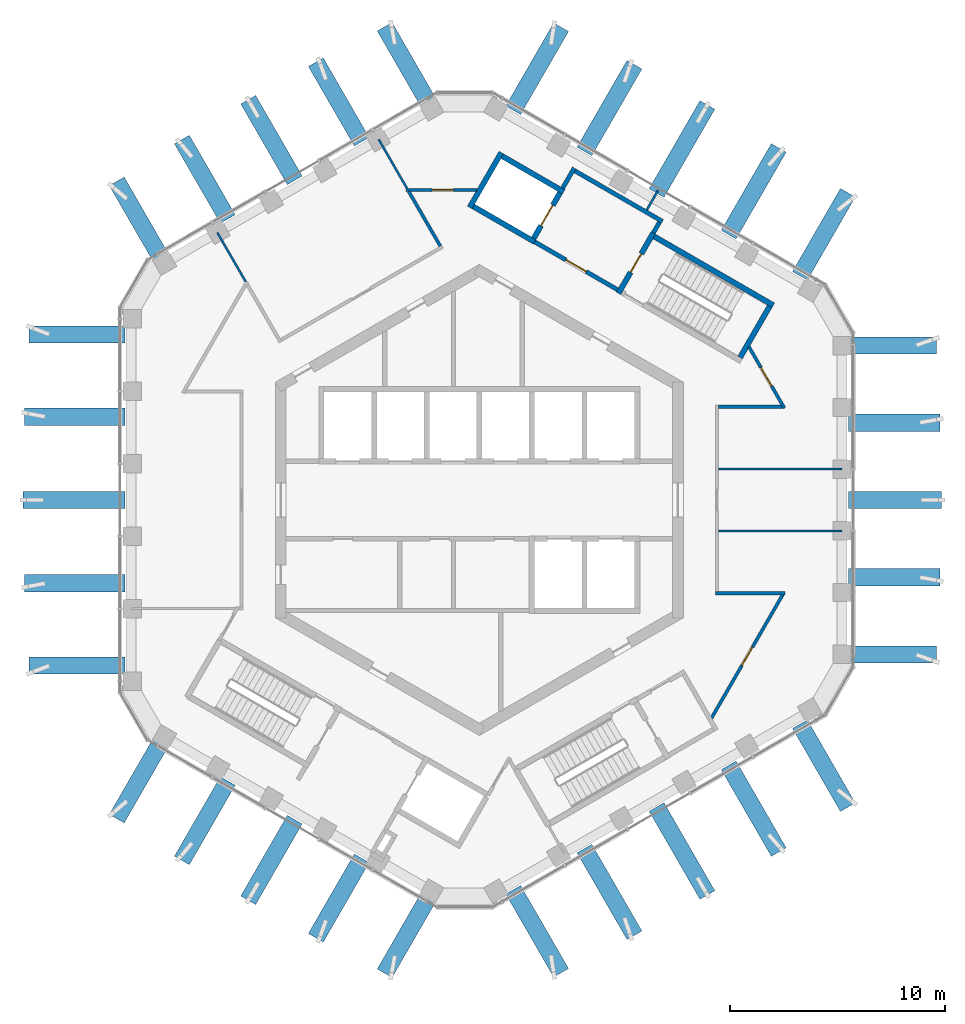
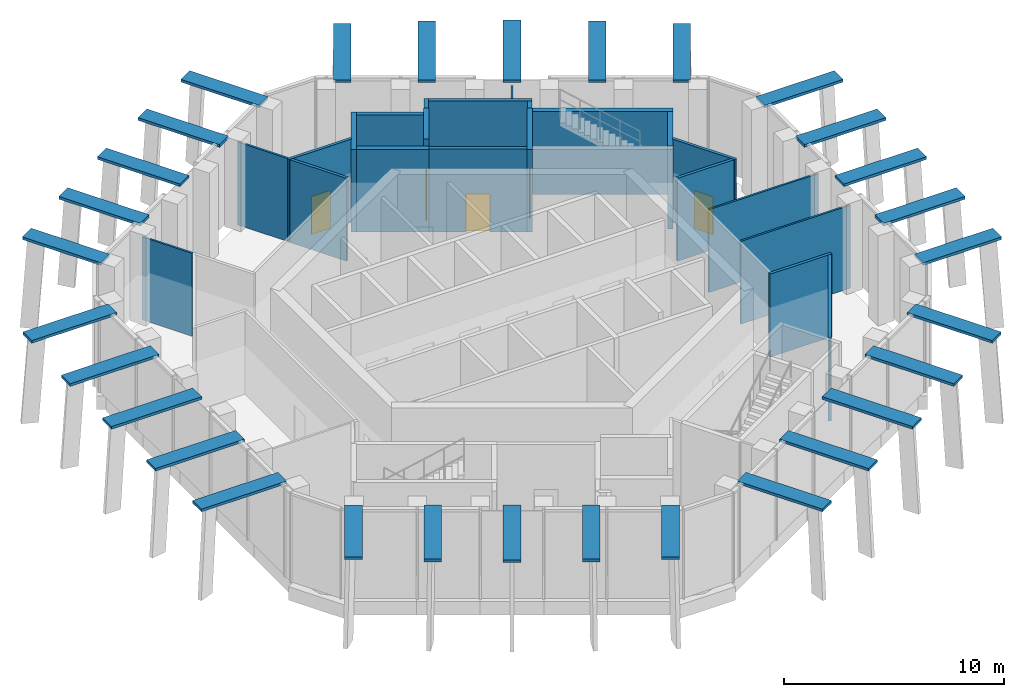
# One storey, part 13 of 17: 30 discrete accessories, 22 walls, 6 doors, 6 openings.
"""IFC4 building model written with IfcOpenShell, lengths in metres."""

from ifc_helpers import new_model, si_unit, direction, frame, frame_2d, origin, origin_2d, place, context, subcontext, project, spatial, rectangle, extrude, material, layer, layer_set, type_object, element, fill, save


model = new_model("IFC4")

# Units and contexts
model_context = context("Model", 3, precision=1e-05, world=origin(), true_north=direction((0.0, 1.0)))
body_context = subcontext(model_context, "Body", "Model", "MODEL_VIEW")
ifc_project = project(units=[si_unit("LENGTHUNIT", "METRE"), si_unit("AREAUNIT", "SQUARE_METRE"), si_unit("VOLUMEUNIT", "CUBIC_METRE"), si_unit("PLANEANGLEUNIT", "RADIAN"), si_unit("MASSUNIT", "GRAM", prefix="KILO")], contexts=[model_context])

# Site, building, storey
site_placement = place(None, origin())
site = spatial("IfcSite", under=ifc_project, at=site_placement, CompositionType="ELEMENT")
building_placement = place(site_placement, origin())
building = spatial("IfcBuilding", under=site, at=building_placement, Name="Ayvan Gate Tower", CompositionType="ELEMENT")
storey_placement = place(building_placement, frame((0.0, 0.0, 257.89990234375)))
storey = spatial("IfcBuildingStorey", under=building, at=storey_placement, Name="L69", CompositionType="ELEMENT", Elevation=257.89990234375)

# Wall, opening, door
ifc_material_1 = material(Name="Plasterboard on steel stud", Category="steel")
ifc_layer_1 = layer(ifc_material_1, 0.14990234375)
ifc_layer_set_1 = layer_set([ifc_layer_1], Name="Plasterboard on steel stud")
wall_type_1 = type_object("IfcWallType", Name="WT-CORR-150", PredefinedType="PARTITIONING", material=ifc_layer_set_1)
wall_1_placement = place(storey_placement, frame((-3.4033203125, 14.44287109375, 0.0), z_axis=(0.0, 0.0, 1.0), x_axis=(1.0, 0.0, 0.0)))
wall_1 = element("IfcWall", 1, at=wall_1_placement, inside=storey, type_object=wall_type_1, Name="IW-L69-031", PredefinedType="PARTITIONING", context=body_context, shape_type="SweptSolid", body=[
    extrude(rectangle(XDim=3.30322265625, YDim=0.14990234375, at=frame_2d((1.651611328125, 0.0))), origin(), (0.0, 0.0, 1.0), 4.60009765625),
])
opening_1_placement = place(wall_1_placement, frame((1.206298828125, 0.0, 0.0)))
opening_1 = element("IfcOpeningElement", 2, at=opening_1_placement, cuts=wall_1, Name="Opening L69-D28", PredefinedType="OPENING", context=body_context, shape_type="SweptSolid", body=[
    extrude(rectangle(XDim=1.0, YDim=2.10009765625, at=frame_2d((0.5, 1.050048828125))), frame((0.0, 0.0849609375, 0.0), z_axis=(0.0, -1.0, 0.0), x_axis=(1.0, 0.0, 0.0)), (0.0, 0.0, 1.0), 0.169921875),
])
ifc_material_2 = material(Name="Timber door leaf", Category="wood")
door_type_1 = type_object("IfcDoorType", Name="DT-1000", OperationType="NOTDEFINED", PredefinedType="DOOR", material=ifc_material_2)
door_1_placement = place(opening_1_placement, origin())
door_1 = element("IfcDoor", 3, at=door_1_placement, inside=storey, type_object=door_type_1, Name="ID-L69-028", OperationType="SINGLE_SWING_LEFT", OverallHeight=2.10009765625, OverallWidth=1.0, PredefinedType="DOOR", context=body_context, shape_type="SweptSolid", body=[
    extrude(rectangle(XDim=1.0, YDim=2.10009765625, at=frame_2d((0.5, 1.050048828125))), frame((0.0, 0.02490234375, 0.0), z_axis=(0.0, -1.0, 0.0), x_axis=(1.0, 0.0, 0.0)), (0.0, 0.0, 1.0), 0.050048828125),
])
fill(opening_1, door_1)

# Walls
wall_2_placement = place(storey_placement, frame((-1.814697265625, 11.8212890625, 0.0), z_axis=(0.0, 0.0, 1.0), x_axis=(-0.499999254532, 0.86602583418, 0.0)))
element("IfcWall", 4, at=wall_2_placement, inside=storey, type_object=wall_type_1, Name="IW-L69-035", PredefinedType="PARTITIONING", context=body_context, shape_type="SweptSolid", body=[
    extrude(rectangle(XDim=2.9521484375, YDim=0.14990234375, at=frame_2d((1.47607421875, 0.0))), origin(), (0.0, 0.0, 1.0), 4.60009765625),
])
wall_3_placement = place(storey_placement, frame((10.9951171875, -4.339111328125, 0.0), z_axis=(0.0, 0.0, 1.0), x_axis=(1.0, 0.0, 0.0)))
element("IfcWall", 5, at=wall_3_placement, inside=storey, type_object=wall_type_1, Name="IW-L69-075", PredefinedType="PARTITIONING", context=body_context, shape_type="SweptSolid", body=[
    extrude(rectangle(XDim=3.251953125, YDim=0.14990234375, at=frame_2d((1.6259765625, 0.0))), origin(), (0.0, 0.0, 1.0), 4.60009765625),
])

# Wall, opening, door
wall_4_placement = place(storey_placement, frame((12.55810546875, 7.134521484375, 0.0), z_axis=(0.0, 0.0, 1.0), x_axis=(0.499986929959, -0.866032949645, 0.0)))
wall_4 = element("IfcWall", 6, at=wall_4_placement, inside=storey, type_object=wall_type_1, Name="IW-L69-079", PredefinedType="PARTITIONING", context=body_context, shape_type="SweptSolid", body=[
    extrude(rectangle(XDim=3.302734375, YDim=0.14990234375, at=frame_2d((1.6513671875, 0.0))), origin(), (0.0, 0.0, 1.0), 4.60009765625),
])
opening_2_placement = place(wall_4_placement, frame((1.114013671875, 0.0, 0.0)))
opening_2 = element("IfcOpeningElement", 7, at=opening_2_placement, cuts=wall_4, Name="Opening L69-D24", PredefinedType="OPENING", context=body_context, shape_type="SweptSolid", body=[
    extrude(rectangle(XDim=1.0, YDim=2.10009765625, at=frame_2d((0.5, 1.050048828125))), frame((0.0, 0.0849609375, 0.0), z_axis=(0.0, -1.0, 0.0), x_axis=(1.0, 0.0, 0.0)), (0.0, 0.0, 1.0), 0.169921875),
])
door_2_placement = place(opening_2_placement, origin())
door_2 = element("IfcDoor", 8, at=door_2_placement, inside=storey, type_object=door_type_1, Name="ID-L69-024", OperationType="SINGLE_SWING_LEFT", OverallHeight=2.10009765625, OverallWidth=1.0, PredefinedType="DOOR", context=body_context, shape_type="SweptSolid", body=[
    extrude(rectangle(XDim=1.0, YDim=2.10009765625, at=frame_2d((0.5, 1.050048828125))), frame((0.0, 0.02490234375, 0.0), z_axis=(0.0, -1.0, 0.0), x_axis=(1.0, 0.0, 0.0)), (0.0, 0.0, 1.0), 0.050048828125),
])
fill(opening_2, door_2)

wall_5_placement = place(storey_placement, frame((14.134521484375, -4.404052734375, 0.0), z_axis=(0.0, 0.0, 1.0), x_axis=(-0.500001386856, -0.866024603081, 0.0)))
wall_5 = element("IfcWall", 9, at=wall_5_placement, inside=storey, type_object=wall_type_1, Name="IW-L69-081", PredefinedType="PARTITIONING", context=body_context, shape_type="SweptSolid", body=[
    extrude(rectangle(XDim=6.64208984375, YDim=0.14990234375, at=frame_2d((3.321044921875, 0.0))), origin(), (0.0, 0.0, 1.0), 4.60009765625),
])
opening_3_placement = place(wall_5_placement, frame((2.821044921875, 0.0, 0.0)))
opening_3 = element("IfcOpeningElement", 10, at=opening_3_placement, cuts=wall_5, Name="Opening L69-D25", PredefinedType="OPENING", context=body_context, shape_type="SweptSolid", body=[
    extrude(rectangle(XDim=1.0, YDim=2.10009765625, at=frame_2d((0.5, 1.050048828125))), frame((0.0, 0.0849609375, 0.0), z_axis=(0.0, -1.0, 0.0), x_axis=(1.0, 0.0, 0.0)), (0.0, 0.0, 1.0), 0.169921875),
])
door_3_placement = place(opening_3_placement, origin())
door_3 = element("IfcDoor", 11, at=door_3_placement, inside=storey, type_object=door_type_1, Name="ID-L69-025", OperationType="SINGLE_SWING_RIGHT", OverallHeight=2.10009765625, OverallWidth=1.0, PredefinedType="DOOR", context=body_context, shape_type="SweptSolid", body=[
    extrude(rectangle(XDim=1.0, YDim=2.10009765625, at=frame_2d((0.5, 1.050048828125))), frame((0.0, 0.02490234375, 0.0), z_axis=(0.0, -1.0, 0.0), x_axis=(1.0, 0.0, 0.0)), (0.0, 0.0, 1.0), 0.050048828125),
])
fill(opening_3, door_3)

# Walls
wall_6_placement = place(storey_placement, frame((14.096923828125, 4.339111328125, 0.0), z_axis=(0.0, 0.0, 1.0), x_axis=(-1.0, 0.0, 0.0)))
element("IfcWall", 12, at=wall_6_placement, inside=storey, type_object=wall_type_1, Name="IW-L69-082", PredefinedType="PARTITIONING", context=body_context, shape_type="SweptSolid", body=[
    extrude(rectangle(XDim=2.951904296875, YDim=0.14990234375, at=frame_2d((1.47607421875, 0.0))), origin(), (0.0, 0.0, 1.0), 4.60009765625),
])
ifc_layer_2 = layer(ifc_material_1, 0.10009765625)
ifc_layer_set_2 = layer_set([ifc_layer_2], Name="Plasterboard on steel stud")
wall_type_2 = type_object("IfcWallType", Name="WT-PART-100", PredefinedType="PARTITIONING", material=ifc_layer_set_2)
wall_7_placement = place(storey_placement, frame((-12.201416015625, 12.455322265625, 0.0), z_axis=(0.0, 0.0, 1.0), x_axis=(0.499967916833, -0.866043926217, 0.0)))
element("IfcWall", 13, at=wall_7_placement, inside=storey, type_object=wall_type_2, Name="IW-L69-002", PredefinedType="PARTITIONING", context=body_context, shape_type="SweptSolid", body=[
    extrude(rectangle(XDim=2.640380859375, YDim=0.10009765625, at=frame_2d((1.3203125, 0.0))), origin(), (0.0, 0.0, 1.0), 4.60009765625),
])
wall_8_placement = place(storey_placement, frame((-4.685791015625, 16.794677734375, 0.0), z_axis=(0.0, 0.0, 1.0), x_axis=(0.49999722832, -0.866027004008, 0.0)))
element("IfcWall", 14, at=wall_8_placement, inside=storey, type_object=wall_type_2, Name="IW-L69-023", PredefinedType="PARTITIONING", context=body_context, shape_type="SweptSolid", body=[
    extrude(rectangle(XDim=2.640625, YDim=0.10009765625, at=frame_2d((1.3203125, 0.0))), origin(), (0.0, 0.0, 1.0), 4.60009765625),
])
wall_9_placement = place(storey_placement, frame((7.800048828125, 13.510009765625, 0.0), z_axis=(0.0, 0.0, 1.0), x_axis=(0.499996600708, 0.866027366358, 0.0)))
element("IfcWall", 15, at=wall_9_placement, inside=storey, type_object=wall_type_2, Name="IW-L69-068", PredefinedType="PARTITIONING", context=body_context, shape_type="SweptSolid", body=[
    extrude(rectangle(XDim=1.02783203125, YDim=0.10009765625, at=frame_2d((0.513916015625, 0.0))), origin(), (0.0, 0.0, 1.0), 4.60009765625),
])
for number, where, z_axis, x_axis, name in (
    (16, (11.14501953125, 1.4462890625, 0.0), (0.0, 0.0, 1.0), (1.0, 0.0, 0.0), "IW-L69-077"),
    (17, (16.887451171875, -1.4462890625, 0.0), (0.0, 0.0, 1.0), (-1.0, 0.0, 0.0), "IW-L69-083"),
):
    element("IfcWall", number, at=place(storey_placement, frame(where, z_axis=z_axis, x_axis=x_axis)), inside=storey, type_object=wall_type_2, Name=name, PredefinedType="PARTITIONING", context=body_context, shape_type="SweptSolid", body=[
        extrude(rectangle(XDim=5.742431640625, YDim=0.10009765625, at=frame_2d((2.87109375, 0.0))), origin(), (0.0, 0.0, 1.0), 4.60009765625),
    ])
ifc_layer_3 = layer(ifc_material_1, 0.199951171875)
ifc_layer_set_3 = layer_set([ifc_layer_3], Name="Plasterboard on steel stud")
wall_type_3 = type_object("IfcWallType", Name="WT-RATED-200", PredefinedType="PARTITIONING", material=ifc_layer_set_3)
wall_10_placement = place(storey_placement, frame((3.885009765625, 14.52880859375, 0.0), z_axis=(0.0, 0.0, 1.0), x_axis=(0.499997628298, 0.866026773083, 0.0)))
element("IfcWall", 18, at=wall_10_placement, inside=storey, type_object=wall_type_3, Name="IW-L69-054", PredefinedType="PARTITIONING", context=body_context, shape_type="SweptSolid", body=[
    extrude(rectangle(XDim=1.0751953125, YDim=0.199951171875, at=frame_2d((0.53759765625, 0.0))), origin(), (0.0, 0.0, 1.0), 4.60009765625),
])
wall_11_placement = place(storey_placement, frame((4.458984375, 15.323486328125, 0.0), z_axis=(0.0, 0.0, 1.0), x_axis=(0.866016039709, -0.500016218704, 0.0)))
element("IfcWall", 19, at=wall_11_placement, inside=storey, type_object=wall_type_3, Name="IW-L69-056", PredefinedType="PARTITIONING", context=body_context, shape_type="SweptSolid", body=[
    extrude(rectangle(XDim=4.699951171875, YDim=0.199951171875, at=frame_2d((2.35009765625, 0.0))), origin(), (0.0, 0.0, 1.0), 4.60009765625),
])

# Wall, opening, door
wall_12_placement = place(storey_placement, frame((6.4345703125, 9.794921875, 0.0), z_axis=(0.0, 0.0, 1.0), x_axis=(-0.866012907634, 0.500021643343, 0.0)))
wall_12 = element("IfcWall", 20, at=wall_12_placement, inside=storey, type_object=wall_type_3, Name="IW-L69-061", PredefinedType="PARTITIONING", context=body_context, shape_type="SweptSolid", body=[
    extrude(rectangle(XDim=4.449951171875, YDim=0.199951171875, at=frame_2d((2.22509765625, 0.0))), origin(), (0.0, 0.0, 1.0), 4.60009765625),
])
opening_4_placement = place(wall_12_placement, frame((1.675048828125, 0.0, 0.0)))
opening_4 = element("IfcOpeningElement", 21, at=opening_4_placement, cuts=wall_12, Name="Opening L69-D14", PredefinedType="OPENING", context=body_context, shape_type="SweptSolid", body=[
    extrude(rectangle(XDim=1.10009765625, YDim=2.10009765625, at=frame_2d((0.550048828125, 1.050048828125))), frame((0.0, 0.10986328125, 0.0), z_axis=(0.0, -1.0, 0.0), x_axis=(1.0, 0.0, 0.0)), (0.0, 0.0, 1.0), 0.219970703125),
])
door_type_2 = type_object("IfcDoorType", Name="DT-1100", OperationType="NOTDEFINED", PredefinedType="DOOR", material=ifc_material_2)
door_4_placement = place(opening_4_placement, origin())
door_4 = element("IfcDoor", 22, at=door_4_placement, inside=storey, type_object=door_type_2, Name="ID-L69-014", OperationType="SINGLE_SWING_LEFT", OverallHeight=2.10009765625, OverallWidth=1.10009765625, PredefinedType="DOOR", context=body_context, shape_type="SweptSolid", body=[
    extrude(rectangle(XDim=1.10009765625, YDim=2.10009765625, at=frame_2d((0.550048828125, 1.050048828125))), frame((0.0, 0.02490234375, 0.0), z_axis=(0.0, -1.0, 0.0), x_axis=(1.0, 0.0, 0.0)), (0.0, 0.0, 1.0), 0.050048828125),
])
fill(opening_4, door_4)

# Walls
wall_13_placement = place(storey_placement, frame((8.392822265625, 12.936767578125, 0.0), z_axis=(0.0, 0.0, 1.0), x_axis=(-0.500065409566, -0.86598763626, 0.0)))
element("IfcWall", 23, at=wall_13_placement, inside=storey, type_object=wall_type_3, Name="IW-L69-070", PredefinedType="PARTITIONING", context=body_context, shape_type="SweptSolid", body=[
    extrude(rectangle(XDim=0.5751953125, YDim=0.199951171875, at=frame_2d((0.28759765625, 0.0))), origin(), (0.0, 0.0, 1.0), 4.60009765625),
])
ifc_material_3 = material(Name="Concrete C50/60", Category="concrete")
ifc_layer_4 = layer(ifc_material_3, 0.25)
ifc_layer_set_4 = layer_set([ifc_layer_4], Name="Concrete C50/60")
wall_type_4 = type_object("IfcWallType", Name="WT-RC-250", PredefinedType="SHEAR", material=ifc_layer_set_4)
wall_14_placement = place(storey_placement, frame((-0.447998046875, 13.624267578125, 0.0), z_axis=(0.0, 0.0, 1.0), x_axis=(0.500037662692, 0.866003658127, 0.0)))
element("IfcWall", 24, at=wall_14_placement, inside=storey, type_object=wall_type_4, Name="IW-L69-039", PredefinedType="SHEAR", context=body_context, shape_type="SweptSolid", body=[
    extrude(rectangle(XDim=2.949951171875, YDim=0.25, at=frame_2d((1.47509765625, 0.0))), origin(), (0.0, 0.0, 1.0), 4.60009765625),
])
for number, where, z_axis, x_axis, name in (
    (25, (1.072998046875, 16.00830078125, 0.0), (0.0, 0.0, 1.0), (0.866040211805, -0.499974350878, 0.0), "IW-L69-042"),
    (26, (2.580810546875, 12.02001953125, 0.0), (0.0, 0.0, 1.0), (-0.866040211805, 0.499974350878, 0.0), "IW-L69-051"),
):
    element("IfcWall", number, at=place(storey_placement, frame(where, z_axis=z_axis, x_axis=x_axis)), inside=storey, type_object=wall_type_4, Name=name, PredefinedType="SHEAR", context=body_context, shape_type="SweptSolid", body=[
        extrude(rectangle(XDim=3.300048828125, YDim=0.25, at=frame_2d((1.64990234375, 0.0))), origin(), (0.0, 0.0, 1.0), 4.60009765625),
    ])

# Wall, opening, door
wall_15_placement = place(storey_placement, frame((2.534912109375, 12.19091796875, 0.0), z_axis=(0.0, 0.0, 1.0), x_axis=(0.500061746146, 0.865989751695, 0.0)))
wall_15 = element("IfcWall", 27, at=wall_15_placement, inside=storey, type_object=wall_type_4, Name="IW-L69-052", PredefinedType="SHEAR", context=body_context, shape_type="SweptSolid", body=[
    extrude(rectangle(XDim=2.449951171875, YDim=0.25, at=frame_2d((1.22509765625, 0.0))), origin(), (0.0, 0.0, 1.0), 5.0),
])
opening_5_placement = place(wall_15_placement, frame((0.675048828125, 0.0, 0.0)))
opening_5 = element("IfcOpeningElement", 28, at=opening_5_placement, cuts=wall_15, Name="Opening L69-LD-FF1", PredefinedType="OPENING", context=body_context, shape_type="SweptSolid", body=[
    extrude(rectangle(XDim=1.10009765625, YDim=2.10009765625, at=frame_2d((0.550048828125, 1.050048828125))), frame((0.0, 0.135009765625, 0.0), z_axis=(0.0, -1.0, 0.0), x_axis=(1.0, 0.0, 0.0)), (0.0, 0.0, 1.0), 0.27001953125),
])
ifc_material_4 = material(Name="Stainless steel landing door", Category="steel")
door_type_3 = type_object("IfcDoorType", Name="DT-LANDING-1100", OperationType="SLIDING_TO_LEFT", PredefinedType="DOOR", material=ifc_material_4)
door_5_placement = place(opening_5_placement, origin())
door_5 = element("IfcDoor", 29, at=door_5_placement, inside=storey, type_object=door_type_3, Name="ID-L69-015", OperationType="SLIDING_TO_LEFT", OverallHeight=2.10009765625, OverallWidth=1.10009765625, PredefinedType="DOOR", context=body_context, shape_type="SweptSolid", body=[
    extrude(rectangle(XDim=1.10009765625, YDim=2.10009765625, at=frame_2d((0.550048828125, 1.050048828125))), frame((0.0, 0.02490234375, 0.0), z_axis=(0.0, -1.0, 0.0), x_axis=(1.0, 0.0, 0.0)), (0.0, 0.0, 1.0), 0.050048828125),
])
fill(opening_5, door_5)

wall_16_placement = place(storey_placement, frame((6.480224609375, 9.624267578125, 0.0), z_axis=(0.0, 0.0, 1.0), x_axis=(0.500017246033, 0.866015446554, 0.0)))
wall_16 = element("IfcWall", 30, at=wall_16_placement, inside=storey, type_object=wall_type_4, Name="IW-L69-062", PredefinedType="SHEAR", context=body_context, shape_type="SweptSolid", body=[
    extrude(rectangle(XDim=3.25, YDim=0.25, at=frame_2d((1.625, 0.0))), origin(), (0.0, 0.0, 1.0), 4.60009765625),
])
opening_6_placement = place(wall_16_placement, frame((1.125, 0.0, 0.0)))
opening_6 = element("IfcOpeningElement", 31, at=opening_6_placement, cuts=wall_16, Name="Opening L69-D13", PredefinedType="OPENING", context=body_context, shape_type="SweptSolid", body=[
    extrude(rectangle(XDim=1.0, YDim=2.10009765625, at=frame_2d((0.5, 1.050048828125))), frame((0.0, 0.135009765625, 0.0), z_axis=(0.0, -1.0, 0.0), x_axis=(1.0, 0.0, 0.0)), (0.0, 0.0, 1.0), 0.27001953125),
])
door_6_placement = place(opening_6_placement, origin())
door_6 = element("IfcDoor", 32, at=door_6_placement, inside=storey, type_object=door_type_1, Name="ID-L69-013", OperationType="SINGLE_SWING_RIGHT", OverallHeight=2.10009765625, OverallWidth=1.0, PredefinedType="DOOR", context=body_context, shape_type="SweptSolid", body=[
    extrude(rectangle(XDim=1.0, YDim=2.10009765625, at=frame_2d((0.5, 1.050048828125))), frame((0.0, 0.02490234375, 0.0), z_axis=(0.0, -1.0, 0.0), x_axis=(1.0, 0.0, 0.0)), (0.0, 0.0, 1.0), 0.050048828125),
])
fill(opening_6, door_6)

# Walls
wall_17_placement = place(storey_placement, frame((8.151123046875, 12.26806640625, 0.0), z_axis=(0.0, 0.0, 1.0), x_axis=(0.866025499775, -0.499999833739, 0.0)))
element("IfcWall", 33, at=wall_17_placement, inside=storey, type_object=wall_type_4, Name="IW-L69-069", PredefinedType="SHEAR", context=body_context, shape_type="SweptSolid", body=[
    extrude(rectangle(XDim=6.39990234375, YDim=0.25, at=frame_2d((3.199951171875, 0.0))), origin(), (0.0, 0.0, 1.0), 4.60009765625),
])
wall_18_placement = place(storey_placement, frame((12.14794921875, 6.640869140625, 0.0), z_axis=(0.0, 0.0, 1.0), x_axis=(0.500034990121, 0.866005201286, 0.0)))
element("IfcWall", 34, at=wall_18_placement, inside=storey, type_object=wall_type_4, Name="IW-L69-080", PredefinedType="SHEAR", context=body_context, shape_type="SweptSolid", body=[
    extrude(rectangle(XDim=2.749755859375, YDim=0.25, at=frame_2d((1.375, 0.0))), origin(), (0.0, 0.0, 1.0), 4.60009765625),
])

# Discrete accessories
ifc_material_5 = material(Name="Stainless steel 316", Category="steel")
ifc_layer_5 = layer(ifc_material_5, 0.1201171875)
ifc_layer_set_5 = layer_set([ifc_layer_5], Name="Stainless steel 316")
discrete_accessory_type = type_object("IfcDiscreteAccessoryType", Name="Fin carrier bracket", PredefinedType="BRACKET", material=ifc_layer_set_5)
discrete_accessory_1_placement = place(storey_placement, frame((-18.740234375, -7.710693359375, 4.85009765625), z_axis=(0.0, 0.0, 1.0), x_axis=(0.0, -1.0, 0.0)))
element("IfcDiscreteAccessory", 35, at=discrete_accessory_1_placement, inside=storey, type_object=discrete_accessory_type, Name="Fin carrier 195", PredefinedType="BRACKET", context=body_context, shape_type="SweptSolid", body=[
    extrude(rectangle(XDim=0.800048828125, YDim=4.466796875, at=origin_2d()), origin(), (0.0, 0.0, 1.0), 0.14990234375),
])
discrete_accessory_2_placement = place(storey_placement, frame((-18.839111328125, -3.878173828125, 4.85009765625), z_axis=(0.0, 0.0, 1.0), x_axis=(0.0, -1.0, 0.0)))
element("IfcDiscreteAccessory", 36, at=discrete_accessory_2_placement, inside=storey, type_object=discrete_accessory_type, Name="Fin carrier 197", PredefinedType="BRACKET", context=body_context, shape_type="SweptSolid", body=[
    extrude(rectangle(XDim=0.800048828125, YDim=4.66455078125, at=origin_2d()), origin(), (0.0, 0.0, 1.0), 0.14990234375),
])
discrete_accessory_3_placement = place(storey_placement, frame((-18.875244140625, -0.000244140625, 4.85009765625), z_axis=(0.0, 0.0, 1.0), x_axis=(0.0, -1.0, 0.0)))
element("IfcDiscreteAccessory", 37, at=discrete_accessory_3_placement, inside=storey, type_object=discrete_accessory_type, Name="Fin carrier 199", PredefinedType="BRACKET", context=body_context, shape_type="SweptSolid", body=[
    extrude(rectangle(XDim=0.800048828125, YDim=4.737060546875, at=origin_2d()), origin(), (0.0, 0.0, 1.0), 0.14990234375),
])
discrete_accessory_4_placement = place(storey_placement, frame((-18.839111328125, 3.8779296875, 4.85009765625), z_axis=(0.0, 0.0, 1.0), x_axis=(0.0, -1.0, 0.0)))
element("IfcDiscreteAccessory", 38, at=discrete_accessory_4_placement, inside=storey, type_object=discrete_accessory_type, Name="Fin carrier 201", PredefinedType="BRACKET", context=body_context, shape_type="SweptSolid", body=[
    extrude(rectangle(XDim=0.800048828125, YDim=4.66455078125, at=origin_2d()), origin(), (0.0, 0.0, 1.0), 0.14990234375),
])
discrete_accessory_5_placement = place(storey_placement, frame((-18.740234375, 7.710693359375, 4.85009765625), z_axis=(0.0, 0.0, 1.0), x_axis=(0.0, -1.0, 0.0)))
element("IfcDiscreteAccessory", 39, at=discrete_accessory_5_placement, inside=storey, type_object=discrete_accessory_type, Name="Fin carrier 203", PredefinedType="BRACKET", context=body_context, shape_type="SweptSolid", body=[
    extrude(rectangle(XDim=0.800048828125, YDim=4.466796875, at=origin_2d()), origin(), (0.0, 0.0, 1.0), 0.14990234375),
])
for number, where, z_axis, x_axis, name in (
    (40, (-15.857421875, -13.061767578125, 4.85009765625), (0.0, 0.0, 1.0), (0.866025403784, -0.5, 0.0), "Fin carrier 235"),
    (41, (-15.857666015625, 13.061767578125, 4.85009765625), (0.0, 0.0, 1.0), (-0.866025403784, -0.5, 0.0), "Fin carrier 244"),
):
    element("IfcDiscreteAccessory", number, at=place(storey_placement, frame(where, z_axis=z_axis, x_axis=x_axis)), inside=storey, type_object=discrete_accessory_type, Name=name, PredefinedType="BRACKET", context=body_context, shape_type="SweptSolid", body=[
        extrude(rectangle(XDim=0.800048828125, YDim=4.106201171875, at=origin_2d()), origin(), (0.0, 0.0, 1.0), 0.14990234375),
    ])
for number, where, z_axis, x_axis, name in (
    (42, (-12.781494140625, -14.936279296875, 4.85009765625), (0.0, 0.0, 1.0), (0.866025403784, -0.5, 0.0), "Fin carrier 292"),
    (43, (-12.78173828125, 14.936279296875, 4.85009765625), (0.0, 0.0, 1.0), (-0.866025403784, -0.5, 0.0), "Fin carrier 306"),
):
    element("IfcDiscreteAccessory", number, at=place(storey_placement, frame(where, z_axis=z_axis, x_axis=x_axis)), inside=storey, type_object=discrete_accessory_type, Name=name, PredefinedType="BRACKET", context=body_context, shape_type="SweptSolid", body=[
        extrude(rectangle(XDim=0.800048828125, YDim=4.277099609375, at=origin_2d()), origin(), (0.0, 0.0, 1.0), 0.14990234375),
    ])
for number, where, z_axis, x_axis, name in (
    (44, (-9.67822265625, -16.76318359375, 4.85009765625), (0.0, 0.0, 1.0), (0.866025403784, -0.5, 0.0), "Fin carrier 364"),
    (45, (-9.67822265625, 16.76318359375, 4.85009765625), (0.0, 0.0, 1.0), (-0.866025403784, -0.5, 0.0), "Fin carrier 375"),
):
    element("IfcDiscreteAccessory", number, at=place(storey_placement, frame(where, z_axis=z_axis, x_axis=x_axis)), inside=storey, type_object=discrete_accessory_type, Name=name, PredefinedType="BRACKET", context=body_context, shape_type="SweptSolid", body=[
        extrude(rectangle(XDim=0.800048828125, YDim=4.337890625, at=origin_2d()), origin(), (0.0, 0.0, 1.0), 0.14990234375),
    ])
for number, where, z_axis, x_axis, name in (
    (46, (-6.54443359375, -18.537353515625, 4.85009765625), (0.0, 0.0, 1.0), (0.866025403784, -0.5, 0.0), "Fin carrier 428"),
    (47, (-6.54443359375, 18.537353515625, 4.85009765625), (0.0, 0.0, 1.0), (-0.866025403784, -0.5, 0.0), "Fin carrier 437"),
):
    element("IfcDiscreteAccessory", number, at=place(storey_placement, frame(where, z_axis=z_axis, x_axis=x_axis)), inside=storey, type_object=discrete_accessory_type, Name=name, PredefinedType="BRACKET", context=body_context, shape_type="SweptSolid", body=[
        extrude(rectangle(XDim=0.800048828125, YDim=4.277099609375, at=origin_2d()), origin(), (0.0, 0.0, 1.0), 0.14990234375),
    ])
for number, where, z_axis, x_axis, name in (
    (48, (-3.383056640625, -20.263916015625, 4.85009765625), (0.0, 0.0, 1.0), (0.866025403784, -0.5, 0.0), "Fin carrier 490"),
    (49, (-3.383056640625, 20.263916015625, 4.85009765625), (0.0, 0.0, 1.0), (-0.866025403784, -0.5, 0.0), "Fin carrier 493"),
):
    element("IfcDiscreteAccessory", number, at=place(storey_placement, frame(where, z_axis=z_axis, x_axis=x_axis)), inside=storey, type_object=discrete_accessory_type, Name=name, PredefinedType="BRACKET", context=body_context, shape_type="SweptSolid", body=[
        extrude(rectangle(XDim=0.800048828125, YDim=4.106201171875, at=origin_2d()), origin(), (0.0, 0.0, 1.0), 0.14990234375),
    ])
for number, where, z_axis, x_axis, name in (
    (50, (2.6923828125, -20.084716796875, 4.85009765625), (0.0, 0.0, 1.0), (0.866025403784, 0.5, 0.0), "Fin carrier 548"),
    (51, (2.6923828125, 20.0849609375, 4.85009765625), (0.0, 0.0, 1.0), (-0.866025403784, 0.5, 0.0), "Fin carrier 554"),
):
    element("IfcDiscreteAccessory", number, at=place(storey_placement, frame(where, z_axis=z_axis, x_axis=x_axis)), inside=storey, type_object=discrete_accessory_type, Name=name, PredefinedType="BRACKET", context=body_context, shape_type="SweptSolid", body=[
        extrude(rectangle(XDim=0.800048828125, YDim=4.466796875, at=origin_2d()), origin(), (0.0, 0.0, 1.0), 0.14990234375),
    ])
for number, where, z_axis, x_axis, name in (
    (52, (6.06103515625, -18.254150390625, 4.85009765625), (0.0, 0.0, 1.0), (0.866025403784, 0.5, 0.0), "Fin carrier 608"),
    (53, (6.060791015625, 18.254150390625, 4.85009765625), (0.0, 0.0, 1.0), (-0.866025403784, 0.5, 0.0), "Fin carrier 614"),
):
    element("IfcDiscreteAccessory", number, at=place(storey_placement, frame(where, z_axis=z_axis, x_axis=x_axis)), inside=storey, type_object=discrete_accessory_type, Name=name, PredefinedType="BRACKET", context=body_context, shape_type="SweptSolid", body=[
        extrude(rectangle(XDim=0.800048828125, YDim=4.66455078125, at=origin_2d()), origin(), (0.0, 0.0, 1.0), 0.14990234375),
    ])
for number, where, z_axis, x_axis, name in (
    (54, (9.437744140625, -16.346435546875, 4.85009765625), (0.0, 0.0, 1.0), (0.866025403784, 0.5, 0.0), "Fin carrier 670"),
    (55, (9.4375, 16.346435546875, 4.85009765625), (0.0, 0.0, 1.0), (-0.866025403784, 0.5, 0.0), "Fin carrier 676"),
):
    element("IfcDiscreteAccessory", number, at=place(storey_placement, frame(where, z_axis=z_axis, x_axis=x_axis)), inside=storey, type_object=discrete_accessory_type, Name=name, PredefinedType="BRACKET", context=body_context, shape_type="SweptSolid", body=[
        extrude(rectangle(XDim=0.800048828125, YDim=4.737060546875, at=origin_2d()), origin(), (0.0, 0.0, 1.0), 0.14990234375),
    ])
for number, where, z_axis, x_axis, name in (
    (56, (12.778076171875, -14.3759765625, 4.85009765625), (0.0, 0.0, 1.0), (0.866025403784, 0.5, 0.0), "Fin carrier 723"),
    (57, (12.77783203125, 14.376220703125, 4.85009765625), (0.0, 0.0, 1.0), (-0.866025403784, 0.5, 0.0), "Fin carrier 725"),
):
    element("IfcDiscreteAccessory", number, at=place(storey_placement, frame(where, z_axis=z_axis, x_axis=x_axis)), inside=storey, type_object=discrete_accessory_type, Name=name, PredefinedType="BRACKET", context=body_context, shape_type="SweptSolid", body=[
        extrude(rectangle(XDim=0.800048828125, YDim=4.66455078125, at=origin_2d()), origin(), (0.0, 0.0, 1.0), 0.14990234375),
    ])
for number, where, z_axis, x_axis, name in (
    (58, (16.0478515625, -12.3740234375, 4.85009765625), (0.0, 0.0, 1.0), (0.866025403784, 0.5, 0.0), "Fin carrier 786"),
    (59, (16.047607421875, 12.374267578125, 4.85009765625), (0.0, 0.0, 1.0), (-0.866025403784, 0.5, 0.0), "Fin carrier 789"),
):
    element("IfcDiscreteAccessory", number, at=place(storey_placement, frame(where, z_axis=z_axis, x_axis=x_axis)), inside=storey, type_object=discrete_accessory_type, Name=name, PredefinedType="BRACKET", context=body_context, shape_type="SweptSolid", body=[
        extrude(rectangle(XDim=0.800048828125, YDim=4.466796875, at=origin_2d()), origin(), (0.0, 0.0, 1.0), 0.14990234375),
    ])
discrete_accessory_6_placement = place(storey_placement, frame((19.240478515625, -7.2021484375, 4.85009765625), z_axis=(0.0, 0.0, 1.0), x_axis=(0.0, 1.0, 0.0)))
element("IfcDiscreteAccessory", 60, at=discrete_accessory_6_placement, inside=storey, type_object=discrete_accessory_type, Name="Fin carrier 842", PredefinedType="BRACKET", context=body_context, shape_type="SweptSolid", body=[
    extrude(rectangle(XDim=0.800048828125, YDim=4.106201171875, at=origin_2d()), origin(), (0.0, 0.0, 1.0), 0.14990234375),
])
discrete_accessory_7_placement = place(storey_placement, frame((19.325927734375, -3.600830078125, 4.85009765625), z_axis=(0.0, 0.0, 1.0), x_axis=(0.0, 1.0, 0.0)))
element("IfcDiscreteAccessory", 61, at=discrete_accessory_7_placement, inside=storey, type_object=discrete_accessory_type, Name="Fin carrier 853", PredefinedType="BRACKET", context=body_context, shape_type="SweptSolid", body=[
    extrude(rectangle(XDim=0.800048828125, YDim=4.277099609375, at=origin_2d()), origin(), (0.0, 0.0, 1.0), 0.14990234375),
])
discrete_accessory_8_placement = place(storey_placement, frame((19.3564453125, 0.0, 4.85009765625), z_axis=(0.0, 0.0, 1.0), x_axis=(0.0, 1.0, 0.0)))
element("IfcDiscreteAccessory", 62, at=discrete_accessory_8_placement, inside=storey, type_object=discrete_accessory_type, Name="Fin carrier 866", PredefinedType="BRACKET", context=body_context, shape_type="SweptSolid", body=[
    extrude(rectangle(XDim=0.800048828125, YDim=4.337890625, at=origin_2d()), origin(), (0.0, 0.0, 1.0), 0.14990234375),
])
discrete_accessory_9_placement = place(storey_placement, frame((19.325927734375, 3.60107421875, 4.85009765625), z_axis=(0.0, 0.0, 1.0), x_axis=(0.0, 1.0, 0.0)))
element("IfcDiscreteAccessory", 63, at=discrete_accessory_9_placement, inside=storey, type_object=discrete_accessory_type, Name="Fin carrier 877", PredefinedType="BRACKET", context=body_context, shape_type="SweptSolid", body=[
    extrude(rectangle(XDim=0.800048828125, YDim=4.277099609375, at=origin_2d()), origin(), (0.0, 0.0, 1.0), 0.14990234375),
])
discrete_accessory_10_placement = place(storey_placement, frame((19.240478515625, 7.2021484375, 4.85009765625), z_axis=(0.0, 0.0, 1.0), x_axis=(0.0, 1.0, 0.0)))
element("IfcDiscreteAccessory", 64, at=discrete_accessory_10_placement, inside=storey, type_object=discrete_accessory_type, Name="Fin carrier 881", PredefinedType="BRACKET", context=body_context, shape_type="SweptSolid", body=[
    extrude(rectangle(XDim=0.800048828125, YDim=4.106201171875, at=origin_2d()), origin(), (0.0, 0.0, 1.0), 0.14990234375),
])

save(model, "model.ifc")
